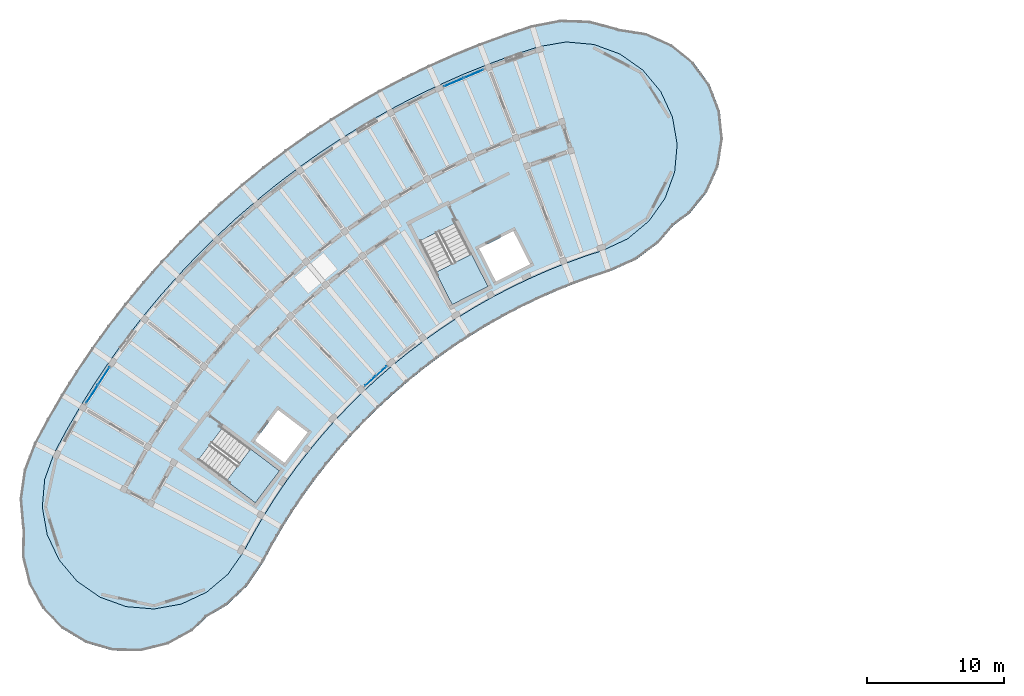
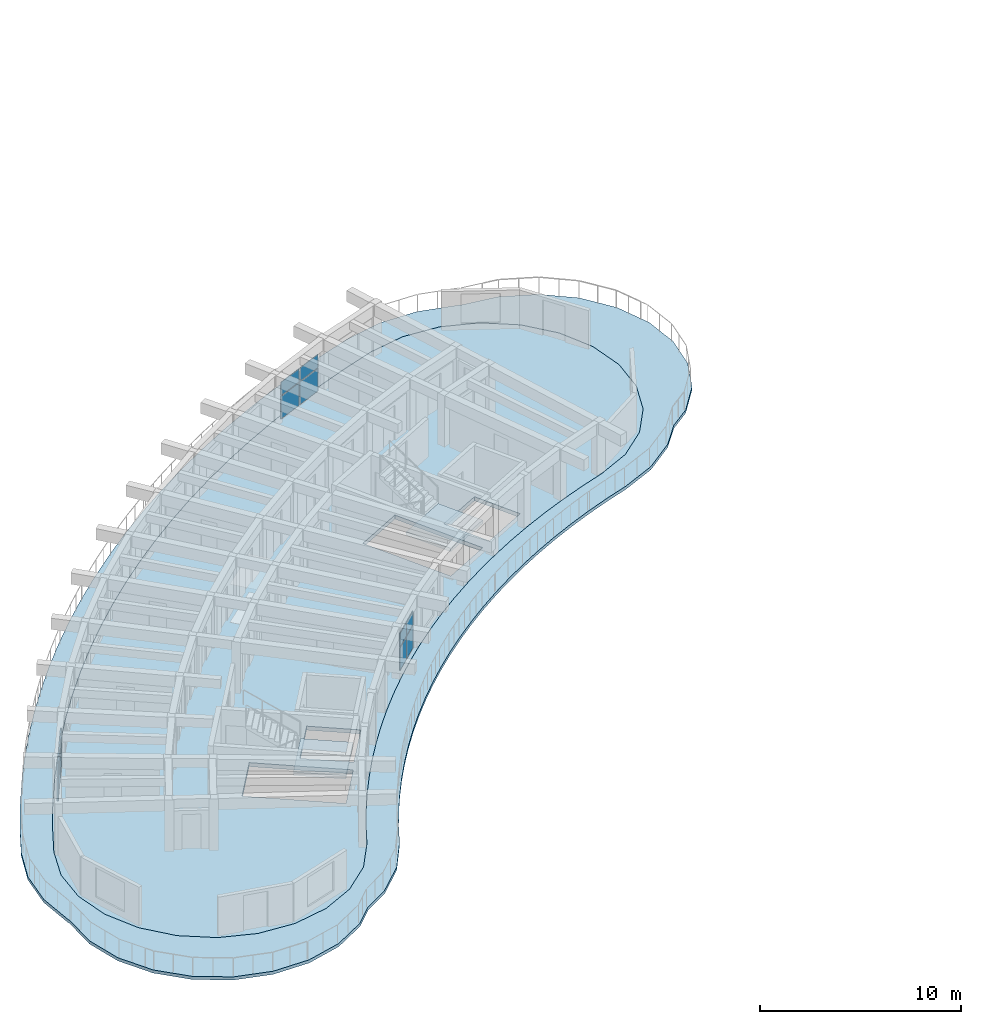
# One storey, part 7 of 19: 12 plates, 4 slabs, 5 elements without a shape of their own.
"""IFC4 building model written with IfcOpenShell, lengths in metres."""

from ifc_helpers import new_model, si_unit, direction, frame, origin, origin_2d, place, context, subcontext, project, spatial, polyline, rectangle, outline, extrude, material, layer, layer_set, type_object, element, aggregate, save


model = new_model("IFC4")

# Units and contexts
model_context = context("Model", 3, precision=1e-05, world=origin(), true_north=direction((0.0, 1.0)))
body_context = subcontext(model_context, "Body", "Model", "MODEL_VIEW")
ifc_project = project(units=[si_unit("LENGTHUNIT", "METRE"), si_unit("AREAUNIT", "SQUARE_METRE"), si_unit("VOLUMEUNIT", "CUBIC_METRE"), si_unit("PLANEANGLEUNIT", "RADIAN"), si_unit("MASSUNIT", "GRAM", prefix="KILO")], contexts=[model_context])

# Site, building, storey
site_placement = place(None, origin())
site = spatial("IfcSite", under=ifc_project, at=site_placement, CompositionType="ELEMENT")
building_placement = place(site_placement, origin())
building = spatial("IfcBuilding", under=site, at=building_placement, Name="Tanwirah Colonnade Gardens", CompositionType="ELEMENT")
storey_placement = place(building_placement, frame((0.0, 0.0, 45.800048828125)))
storey = spatial("IfcBuildingStorey", under=building, at=storey_placement, Name="L13", CompositionType="ELEMENT", Elevation=45.800048828125)

# Curtain wall, plates
ifc_material_1 = material(Name="Bronze-anodised aluminium and solar-control low-E glass", Category="aluminium")
curtain_wall_type_1 = type_object("IfcCurtainWallType", Name="CW-LOB", PredefinedType="NOTDEFINED", material=ifc_material_1)
curtain_wall_1_placement = place(storey_placement, origin())
curtain_wall_1 = element("IfcCurtainWall", 1, at=curtain_wall_1_placement, inside=storey, type_object=curtain_wall_type_1, Name="Curtain Wall CW-A-L13-OUT-04", PredefinedType="NOTDEFINED")
ifc_material_2 = material(Name="Insulated bronze aluminium spandrel panel", Category="aluminium")
ifc_layer_1 = layer(ifc_material_2, 0.035888671875)
ifc_layer_set_1 = layer_set([ifc_layer_1], Name="Insulated bronze aluminium spandrel panel")
plate_type = type_object("IfcPlateType", Name="CWP-SPN36", PredefinedType="CURTAIN_PANEL", material=ifc_layer_set_1)
plate_1_placement = place(storey_placement, frame((42.46728515625, 115.29296875, 0.06494140625), z_axis=(0.0, 0.0, 1.0), x_axis=(-0.920505499276, -0.390729607022, 0.0)))
plate_1 = element("IfcPlate", 2, at=plate_1_placement, type_object=plate_type, Name="CW-LOB panel 1.1", PredefinedType="CURTAIN_PANEL", context=body_context, shape_type="SweptSolid", body=[
    extrude(rectangle(XDim=1.50537109375, YDim=0.035888671875, at=origin_2d()), origin(), (0.0, 0.0, 1.0), 1.362548828125),
])
plate_2_placement = place(storey_placement, frame((42.46728515625, 115.29296875, 1.49267578125), z_axis=(0.0, 0.0, 1.0), x_axis=(-0.920505499276, -0.390729607022, 0.0)))
plate_2 = element("IfcPlate", 3, at=plate_2_placement, type_object=plate_type, Name="CW-LOB panel 1.2", PredefinedType="CURTAIN_PANEL", context=body_context, shape_type="SweptSolid", body=[
    extrude(rectangle(XDim=1.50537109375, YDim=0.035888671875, at=origin_2d()), origin(), (0.0, 0.0, 1.0), 0.79736328125),
])
plate_3_placement = place(storey_placement, frame((41.021728515625, 114.679443359375, 0.06494140625), z_axis=(0.0, 0.0, 1.0), x_axis=(-0.920505499276, -0.390729607022, 0.0)))
plate_3 = element("IfcPlate", 4, at=plate_3_placement, type_object=plate_type, Name="CW-LOB panel 2.1", PredefinedType="CURTAIN_PANEL", context=body_context, shape_type="SweptSolid", body=[
    extrude(rectangle(XDim=1.50537109375, YDim=0.035888671875, at=origin_2d()), origin(), (0.0, 0.0, 1.0), 1.362548828125),
])
plate_4_placement = place(storey_placement, frame((41.021728515625, 114.679443359375, 1.49267578125), z_axis=(0.0, 0.0, 1.0), x_axis=(-0.920505499276, -0.390729607022, 0.0)))
plate_4 = element("IfcPlate", 5, at=plate_4_placement, type_object=plate_type, Name="CW-LOB panel 2.2", PredefinedType="CURTAIN_PANEL", context=body_context, shape_type="SweptSolid", body=[
    extrude(rectangle(XDim=1.50537109375, YDim=0.035888671875, at=origin_2d()), origin(), (0.0, 0.0, 1.0), 0.79736328125),
])
aggregate(curtain_wall_1, [plate_1, plate_2, plate_3, plate_4])

curtain_wall_type_2 = type_object("IfcCurtainWallType", Name="CW-GDN", PredefinedType="NOTDEFINED", material=ifc_material_1)
curtain_wall_2_placement = place(storey_placement, origin())
curtain_wall_2 = element("IfcCurtainWall", 6, at=curtain_wall_2_placement, inside=storey, type_object=curtain_wall_type_2, Name="Curtain Wall CW-A-L13-IN-09", PredefinedType="NOTDEFINED")
plate_5_placement = place(storey_placement, frame((35.736572265625, 93.630615234375, 0.06494140625), z_axis=(0.0, 0.0, 1.0), x_axis=(-0.744440162253, -0.667689182798, 0.0)))
plate_5 = element("IfcPlate", 7, at=plate_5_placement, type_object=plate_type, Name="CW-GDN panel 1.1", PredefinedType="CURTAIN_PANEL", context=body_context, shape_type="SweptSolid", body=[
    extrude(rectangle(XDim=1.007568359375, YDim=0.035888671875, at=origin_2d()), origin(), (0.0, 0.0, 1.0), 1.362548828125),
])
plate_6_placement = place(storey_placement, frame((35.736572265625, 93.630615234375, 1.49267578125), z_axis=(0.0, 0.0, 1.0), x_axis=(-0.744440162253, -0.667689182798, 0.0)))
plate_6 = element("IfcPlate", 8, at=plate_6_placement, type_object=plate_type, Name="CW-GDN panel 1.2", PredefinedType="CURTAIN_PANEL", context=body_context, shape_type="SweptSolid", body=[
    extrude(rectangle(XDim=1.007568359375, YDim=0.035888671875, at=origin_2d()), origin(), (0.0, 0.0, 1.0), 0.79736328125),
])
plate_7_placement = place(storey_placement, frame((34.938232421875, 92.914306640625, 0.06494140625), z_axis=(0.0, 0.0, 1.0), x_axis=(-0.744440162253, -0.667689182798, 0.0)))
plate_7 = element("IfcPlate", 9, at=plate_7_placement, type_object=plate_type, Name="CW-GDN panel 2.1", PredefinedType="CURTAIN_PANEL", context=body_context, shape_type="SweptSolid", body=[
    extrude(rectangle(XDim=1.007568359375, YDim=0.035888671875, at=origin_2d()), origin(), (0.0, 0.0, 1.0), 1.362548828125),
])
plate_8_placement = place(storey_placement, frame((34.938232421875, 92.914306640625, 1.49267578125), z_axis=(0.0, 0.0, 1.0), x_axis=(-0.744440162253, -0.667689182798, 0.0)))
plate_8 = element("IfcPlate", 10, at=plate_8_placement, type_object=plate_type, Name="CW-GDN panel 2.2", PredefinedType="CURTAIN_PANEL", context=body_context, shape_type="SweptSolid", body=[
    extrude(rectangle(XDim=1.007568359375, YDim=0.035888671875, at=origin_2d()), origin(), (0.0, 0.0, 1.0), 0.79736328125),
])
aggregate(curtain_wall_2, [plate_5, plate_6, plate_7, plate_8])

curtain_wall_3_placement = place(storey_placement, origin())
curtain_wall_3 = element("IfcCurtainWall", 11, at=curtain_wall_3_placement, inside=storey, type_object=curtain_wall_type_1, Name="Curtain Wall CW-A-L13-OUT-13", PredefinedType="NOTDEFINED")
plate_9_placement = place(storey_placement, frame((15.511962890625, 93.274169921875, 0.06494140625), z_axis=(0.0, 0.0, 1.0), x_axis=(-0.544640065704, -0.838669898607, 0.0)))
plate_9 = element("IfcPlate", 12, at=plate_9_placement, type_object=plate_type, Name="CW-LOB panel 1.1", PredefinedType="CURTAIN_PANEL", context=body_context, shape_type="SweptSolid", body=[
    extrude(rectangle(XDim=1.50537109375, YDim=0.035888671875, at=origin_2d()), origin(), (0.0, 0.0, 1.0), 1.362548828125),
])
plate_10_placement = place(storey_placement, frame((15.511962890625, 93.274169921875, 1.49267578125), z_axis=(0.0, 0.0, 1.0), x_axis=(-0.544640065704, -0.838669898607, 0.0)))
plate_10 = element("IfcPlate", 13, at=plate_10_placement, type_object=plate_type, Name="CW-LOB panel 1.2", PredefinedType="CURTAIN_PANEL", context=body_context, shape_type="SweptSolid", body=[
    extrude(rectangle(XDim=1.50537109375, YDim=0.035888671875, at=origin_2d()), origin(), (0.0, 0.0, 1.0), 0.79736328125),
])
plate_11_placement = place(storey_placement, frame((14.65673828125, 91.95703125, 0.06494140625), z_axis=(0.0, 0.0, 1.0), x_axis=(-0.544640065704, -0.838669898607, 0.0)))
plate_11 = element("IfcPlate", 14, at=plate_11_placement, type_object=plate_type, Name="CW-LOB panel 2.1", PredefinedType="CURTAIN_PANEL", context=body_context, shape_type="SweptSolid", body=[
    extrude(rectangle(XDim=1.50537109375, YDim=0.035888671875, at=origin_2d()), origin(), (0.0, 0.0, 1.0), 1.362548828125),
])
plate_12_placement = place(storey_placement, frame((14.65673828125, 91.95703125, 1.49267578125), z_axis=(0.0, 0.0, 1.0), x_axis=(-0.544640065704, -0.838669898607, 0.0)))
plate_12 = element("IfcPlate", 15, at=plate_12_placement, type_object=plate_type, Name="CW-LOB panel 2.2", PredefinedType="CURTAIN_PANEL", context=body_context, shape_type="SweptSolid", body=[
    extrude(rectangle(XDim=1.50537109375, YDim=0.035888671875, at=origin_2d()), origin(), (0.0, 0.0, 1.0), 0.79736328125),
])
aggregate(curtain_wall_3, [plate_9, plate_10, plate_11, plate_12])

# Slab
ifc_material_3 = material(Name="White architectural precast concrete C40/50", Category="concrete")
ifc_layer_2 = layer(ifc_material_3, 0.18994140625)
ifc_layer_set_2 = layer_set([ifc_layer_2], Name="White architectural precast concrete C40/50")
slab_type_1 = type_object("IfcSlabType", Name="SL-BAL-190", PredefinedType="FLOOR", material=ifc_layer_set_2)
slab_1_placement = place(storey_placement, frame((0.0, 0.0, -0.18994140625)))
element("IfcSlab", 16, at=slab_1_placement, inside=storey, type_object=slab_type_1, Name="Block A L13 Continuous White Balcony Ribbon", PredefinedType="FLOOR", context=body_context, shape_type="SweptSolid", body=[
    extrude(outline(polyline([(57.01611328125, 104.246826171875), (58.1865234375, 105.0986328125), (59.46630859375, 106.682373046875), (60.292724609375, 108.54345703125), (60.609375, 110.554931640625), (60.39453125, 112.57958984375), (59.6630859375, 114.47998046875), (58.464599609375, 116.1259765625), (56.880859375, 117.406005859375), (55.019775390625, 118.232421875), (53.01123046875, 118.548583984375), (52.912841796875, 118.60009765625), (50.877685546875, 119.13818359375), (48.77392578125, 119.2099609375), (46.70703125, 118.811767578125), (44.78515625, 118.1767578125), (42.885009765625, 117.47900390625), (41.009033203125, 116.718994140625), (39.1591796875, 115.8974609375), (37.33740234375, 115.015380859375), (35.545654296875, 114.073974609375), (33.785888671875, 113.07373046875), (32.06005859375, 112.01611328125), (30.3701171875, 110.90234375), (28.717529296875, 109.7333984375), (27.104736328125, 108.510498046875), (25.532958984375, 107.235107421875), (24.00390625, 105.90869140625), (22.51953125, 104.532470703125), (21.08154296875, 103.108154296875), (19.69091796875, 101.63720703125), (18.349853515625, 100.121337890625), (17.059326171875, 98.56201171875), (15.82080078125, 96.9609375), (14.6357421875, 95.320068359375), (13.505615234375, 93.640869140625), (12.431396484375, 91.92529296875), (11.414306640625, 90.17529296875), (10.455322265625, 88.392822265625), (9.7041015625, 86.426513671875), (9.409423828125, 84.34228515625), (9.5859375, 82.24462890625), (9.619873046875, 82.138916015625), (9.582275390625, 80.105712890625), (10.072998046875, 78.12939453125), (11.058349609375, 76.34765625), (12.471435546875, 74.881591796875), (14.2158203125, 73.8310546875), (16.172607421875, 73.26806640625), (18.20849609375, 73.23046875), (20.1845703125, 73.72119140625), (21.966552734375, 74.70654296875), (23.0087890625, 75.711181640625), (24.45654296875, 76.564697265625), (25.986572265625, 78.010498046875), (27.15625, 79.760498046875), (27.821533203125, 80.997314453125), (28.52734375, 82.21142578125), (29.272705078125, 83.401611328125), (30.056884765625, 84.566650390625), (30.87890625, 85.705078125), (31.73828125, 86.81591796875), (32.633544921875, 87.89794921875), (33.564208984375, 88.94970703125), (34.52880859375, 89.97021484375), (35.526611328125, 90.95849609375), (36.556396484375, 91.9130859375), (37.6171875, 92.83349609375), (38.707763671875, 93.71826171875), (39.826904296875, 94.566650390625), (40.973388671875, 95.3779296875), (42.14599609375, 96.150634765625), (43.34326171875, 96.884521484375), (44.564208984375, 97.578369140625), (45.807373046875, 98.231689453125), (47.0712890625, 98.843505859375), (48.354736328125, 99.41357421875), (49.656494140625, 99.94091796875), (50.974609375, 100.425048828125), (52.30810546875, 100.865478515625), (54.234619140625, 101.713623046875), (55.924072265625, 102.96923828125), (57.01611328125, 104.246826171875)]), holes=[polyline([(53.668701171875, 103.264892578125), (51.82421875, 102.411376953125), (50.441650390625, 101.954833984375), (50.44091796875, 101.95458984375), (49.0732421875, 101.4521484375), (49.07275390625, 101.451904296875), (47.72216796875, 100.90478515625), (47.7216796875, 100.904541015625), (46.389892578125, 100.313232421875), (46.38916015625, 100.31298828125), (45.077880859375, 99.677978515625), (45.0771484375, 99.677734375), (43.787353515625, 99.0), (43.786865234375, 98.99951171875), (42.52001953125, 98.279541015625), (42.51953125, 98.279296875), (41.277099609375, 97.51806640625), (41.276611328125, 97.517578125), (40.059814453125, 96.7158203125), (40.059326171875, 96.71533203125), (38.869873046875, 95.873779296875), (38.869384765625, 95.87353515625), (37.708251953125, 94.9931640625), (37.707763671875, 94.99267578125), (36.576171875, 94.07470703125), (36.57568359375, 94.07421875), (35.47509765625, 93.119384765625), (35.474609375, 93.118896484375), (34.406005859375, 92.12841796875), (34.405517578125, 92.1279296875), (33.370361328125, 91.1025390625), (33.369873046875, 91.10205078125), (32.368896484375, 90.043212890625), (32.368408203125, 90.042724609375), (31.40283203125, 88.951416015625), (31.402587890625, 88.950927734375), (30.473388671875, 87.828369140625), (30.47314453125, 87.827880859375), (29.58154296875, 86.67529296875), (29.581298828125, 86.6748046875), (28.728271484375, 85.493408203125), (28.727783203125, 85.492919921875), (27.9140625, 84.2841796875), (27.913818359375, 84.28369140625), (27.140380859375, 83.048828125), (27.14013671875, 83.048095703125), (26.407958984375, 81.788330078125), (26.40771484375, 81.787841796875), (25.7177734375, 80.505615234375), (24.556884765625, 78.83740234375), (23.0048828125, 77.52734375), (21.166748046875, 76.663818359375), (19.167724609375, 76.30517578125), (17.14404296875, 76.476318359375), (15.233642578125, 77.16552734375), (13.56640625, 78.325439453125), (12.256591796875, 79.87744140625), (11.392822265625, 81.715576171875), (11.034423828125, 83.714599609375), (11.20556640625, 85.738525390625), (11.89501953125, 87.64990234375), (12.828125, 89.384521484375), (13.818359375, 91.08837890625), (14.8642578125, 92.758544921875), (15.964599609375, 94.393310546875), (17.118408203125, 95.990966796875), (18.32421875, 97.5498046875), (19.58056640625, 99.068115234375), (20.886474609375, 100.5439453125), (22.240234375, 101.97607421875), (23.640380859375, 103.36279296875), (25.085693359375, 104.70263671875), (26.57421875, 105.994140625), (28.1044921875, 107.23583984375), (29.6748046875, 108.42626953125), (31.28369140625, 109.564453125), (32.92919921875, 110.649169921875), (34.609375, 111.6787109375), (36.32275390625, 112.652587890625), (38.067138671875, 113.5693359375), (39.841064453125, 114.427978515625), (41.64208984375, 115.227783203125), (43.468505859375, 115.9677734375), (45.318359375, 116.647216796875), (47.188720703125, 117.264892578125), (49.19091796875, 117.61181640625), (51.213623046875, 117.428955078125), (53.1201171875, 116.728759765625), (54.7802734375, 115.55908203125), (56.081298828125, 113.99951171875), (56.93408203125, 112.156494140625), (57.281005859375, 110.1552734375), (57.09814453125, 108.132568359375), (56.39794921875, 106.22607421875), (55.228271484375, 104.56591796875), (53.668701171875, 103.264892578125)])]), origin(), (0.0, 0.0, 1.0), 0.18994140625),
])

# Stair, slab
ifc_material_4 = material(Name="Precast concrete C40/50", Category="concrete")
stair_type = type_object("IfcStairType", Name="ST-RES168", PredefinedType="HALF_TURN_STAIR", material=ifc_material_4)
stair_1_placement = place(storey_placement, origin())
stair_1 = element("IfcStair", 17, at=stair_1_placement, inside=storey, type_object=stair_type, Name="L13 Block A Core 1 Exit Stair", PredefinedType="HALF_TURN_STAIR")
ifc_layer_3 = layer(ifc_material_4, 0.205078125)
ifc_layer_set_3 = layer_set([ifc_layer_3], Name="Precast concrete C40/50")
slab_type_2 = type_object("IfcSlabType", Name="SL-LND-205", PredefinedType="LANDING", material=ifc_layer_set_3)
slab_2_placement = place(storey_placement, frame((0.0, 0.0, 1.474853515625)))
slab_2 = element("IfcSlab", 18, at=slab_2_placement, type_object=slab_type_2, Name="ST-A1 landing 1", PredefinedType="LANDING", context=body_context, shape_type="SweptSolid", body=[
    extrude(outline(polyline([(39.6982421875, 100.826171875), (40.89453125, 98.478515625), (43.496337890625, 99.80419921875), (42.300048828125, 102.15185546875), (39.6982421875, 100.826171875)])), origin(), (0.0, 0.0, 1.0), 0.205078125),
])
aggregate(stair_1, [slab_2])

stair_2_placement = place(storey_placement, origin())
stair_2 = element("IfcStair", 19, at=stair_2_placement, inside=storey, type_object=stair_type, Name="L13 Block A Core 2 Exit Stair", PredefinedType="HALF_TURN_STAIR")
slab_3_placement = place(storey_placement, frame((0.0, 0.0, 1.474853515625)))
slab_3 = element("IfcSlab", 20, at=slab_3_placement, type_object=slab_type_2, Name="ST-A2 landing 1", PredefinedType="LANDING", context=body_context, shape_type="SweptSolid", body=[
    extrude(outline(polyline([(24.44970703125, 85.623046875), (26.553955078125, 84.037353515625), (28.311279296875, 86.369384765625), (26.20703125, 87.955078125), (24.44970703125, 85.623046875)])), origin(), (0.0, 0.0, 1.0), 0.205078125),
])
aggregate(stair_2, [slab_3])

# Slab
ifc_layer_4 = layer(ifc_material_4, 0.239990234375)
ifc_layer_set_4 = layer_set([ifc_layer_4], Name="Precast concrete C40/50")
slab_type_3 = type_object("IfcSlabType", Name="SL-RES-240", PredefinedType="FLOOR", material=ifc_layer_set_4)
slab_4_placement = place(storey_placement, frame((0.0, 0.0, -0.239990234375)))
element("IfcSlab", 21, at=slab_4_placement, inside=storey, type_object=slab_type_3, Name="Block A L13 Precast Composite Floor Slab", PredefinedType="FLOOR", context=body_context, shape_type="SweptSolid", body=[
    extrude(outline(polyline([(49.080078125, 101.433349609375), (50.447998046875, 101.935791015625), (51.83154296875, 102.392822265625), (53.679443359375, 103.248046875), (55.242919921875, 104.55224609375), (56.415771484375, 106.216796875), (57.11767578125, 108.128173828125), (57.30126953125, 110.156005859375), (56.953369140625, 112.162353515625), (56.09814453125, 114.01025390625), (54.7939453125, 115.573974609375), (53.12939453125, 116.746826171875), (51.218017578125, 117.44873046875), (49.190185546875, 117.632080078125), (47.183837890625, 117.284423828125), (45.311767578125, 116.666015625), (43.46142578125, 115.986328125), (41.63427734375, 115.24609375), (39.83251953125, 114.446044921875), (38.05810546875, 113.587158203125), (36.313232421875, 112.669921875), (34.599365234375, 111.696044921875), (32.91845703125, 110.666015625), (31.2724609375, 109.5810546875), (29.6630859375, 108.442626953125), (28.092041015625, 107.25146484375), (26.561279296875, 106.009521484375), (25.072265625, 104.717529296875), (23.62646484375, 103.377197265625), (22.225830078125, 101.990234375), (20.87158203125, 100.5576171875), (19.5654296875, 99.0810546875), (18.30859375, 97.562255859375), (17.102294921875, 96.0029296875), (15.9482421875, 94.40478515625), (14.847412109375, 92.76953125), (13.80126953125, 91.0986328125), (12.810546875, 89.394287109375), (11.876708984375, 87.658203125), (11.185791015625, 85.74267578125), (11.01416015625, 83.7138671875), (11.37353515625, 81.70947265625), (12.239501953125, 79.86669921875), (13.552978515625, 78.310546875), (15.224365234375, 77.1474609375), (17.1396484375, 76.456787109375), (19.168701171875, 76.28515625), (21.1728515625, 76.64453125), (23.015869140625, 77.510498046875), (24.57177734375, 78.82373046875), (25.73486328125, 80.4951171875), (26.42529296875, 81.7783203125), (27.157470703125, 83.0380859375), (27.9306640625, 84.27294921875), (28.744384765625, 85.48193359375), (29.597412109375, 86.6630859375), (30.489013671875, 87.815673828125), (31.41796875, 88.938232421875), (32.38330078125, 90.029541015625), (33.38427734375, 91.08837890625), (34.419677734375, 92.11376953125), (35.48828125, 93.104248046875), (36.5888671875, 94.05908203125), (37.72021484375, 94.977294921875), (38.88134765625, 95.857421875), (40.07080078125, 96.698974609375), (41.28759765625, 97.5009765625), (42.52978515625, 98.26220703125), (43.796630859375, 98.982177734375), (45.08642578125, 99.659912109375), (46.39794921875, 100.294921875), (47.729736328125, 100.88623046875), (49.080078125, 101.433349609375)]), holes=[polyline([(41.13427734375, 104.433349609375), (43.49365234375, 99.802734375), (40.897216796875, 98.479736328125), (38.537841796875, 103.1103515625), (41.13427734375, 104.433349609375)]), polyline([(46.574462890625, 101.428466796875), (44.07958984375, 100.157470703125), (42.853759765625, 102.563232421875), (45.3486328125, 103.834228515625), (46.574462890625, 101.428466796875)]), polyline([(26.555908203125, 84.039794921875), (22.4052734375, 87.16748046875), (24.158935546875, 89.49462890625), (28.3095703125, 86.366943359375), (26.555908203125, 84.039794921875)]), polyline([(26.5244140625, 88.5673828125), (28.20947265625, 90.8037109375), (30.36572265625, 89.1787109375), (28.6806640625, 86.942626953125), (26.5244140625, 88.5673828125)])]), origin(), (0.0, 0.0, 1.0), 0.239990234375),
])

save(model, "model.ifc")
